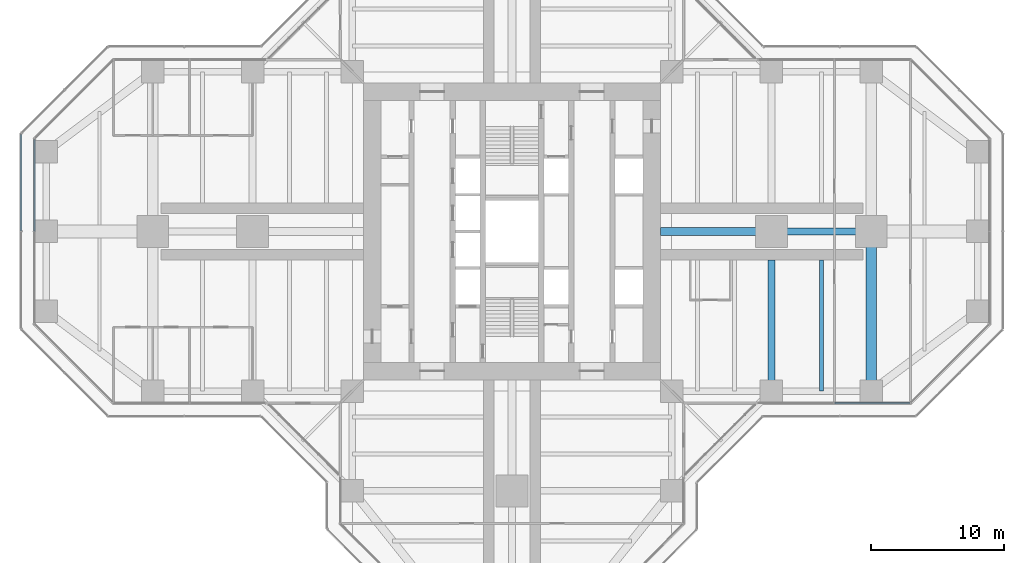
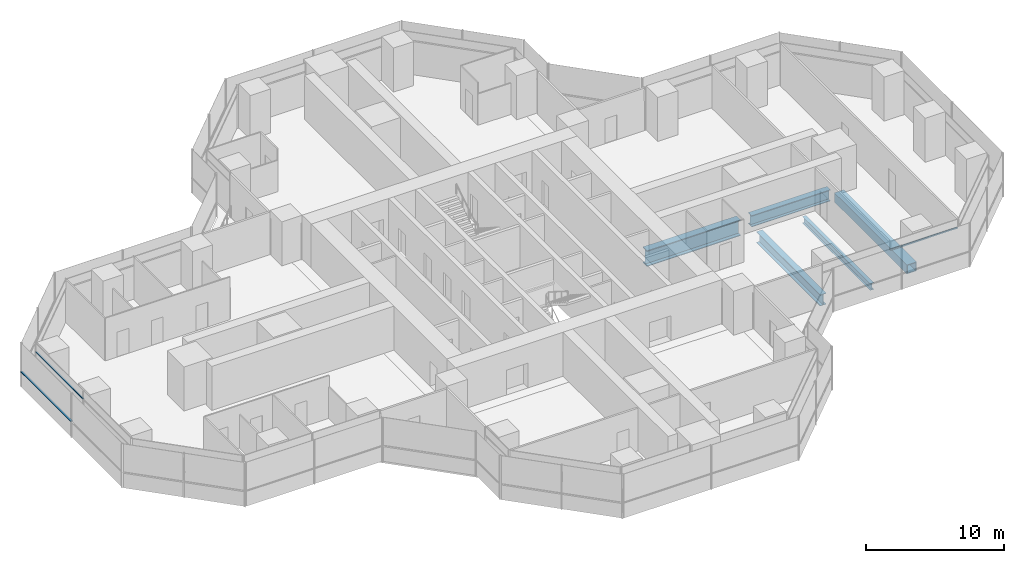
# One storey, part 6 of 20: 5 beams, 3 members, 3 elements without a shape of their own.
"""IFC4 building model written with IfcOpenShell, lengths in metres."""

from ifc_helpers import new_model, si_unit, direction, frame, origin, origin_2d, place, context, subcontext, project, spatial, rectangle, hollow_rectangle, i_section, extrude, material, material_profile, profile_set, type_object, element, aggregate, save


model = new_model("IFC4")

# Units and contexts
model_context = context("Model", 3, precision=1e-05, world=origin(), true_north=direction((0.0, 1.0)))
body_context = subcontext(model_context, "Body", "Model", "MODEL_VIEW")
ifc_project = project(units=[si_unit("LENGTHUNIT", "METRE"), si_unit("AREAUNIT", "SQUARE_METRE"), si_unit("VOLUMEUNIT", "CUBIC_METRE"), si_unit("PLANEANGLEUNIT", "RADIAN"), si_unit("MASSUNIT", "GRAM", prefix="KILO")], contexts=[model_context])

# Site, building, storey
site_placement = place(None, origin())
site = spatial("IfcSite", under=ifc_project, at=site_placement, CompositionType="ELEMENT")
building_placement = place(site_placement, origin())
building = spatial("IfcBuilding", under=site, at=building_placement, Name="Mizan Broadcast Tower", CompositionType="ELEMENT")
storey_placement = place(building_placement, frame((0.0, 0.0, 178.800048828125)))
storey = spatial("IfcBuildingStorey", under=building, at=storey_placement, Name="L41", CompositionType="ELEMENT", Elevation=178.800048828125)

# Beams
ifc_material_1 = material(Name="Steel S460", Category="steel")
ifc_material_profile_1 = material_profile(ifc_material_1, hollow_rectangle(XDim=0.800048828125, YDim=0.800048828125, WallThickness=0.050048828125, at=origin_2d()), Name="BOX 800x800x50")
ifc_profile_set_1 = profile_set([ifc_material_profile_1], Name="Steel S460")
beam_type_1 = type_object("IfcBeamType", Name="GIRDER BOX 800x800x50", PredefinedType="BEAM", material=ifc_profile_set_1)
beam_1_placement = place(storey_placement, frame((27.0, -11.280029296875, -0.530029296875), z_axis=(0.0, 1.0, 0.0), x_axis=(-1.0, 0.0, 0.0)))
element("IfcBeam", 1, at=beam_1_placement, inside=storey, type_object=beam_type_1, Name="Girder BOX 800x800x50 L41 east arm", PredefinedType="BEAM", context=body_context, shape_type="SweptSolid", body=[
    extrude(hollow_rectangle(XDim=0.800048828125, YDim=0.800048828125, WallThickness=0.050048828125, at=origin_2d()), origin(), (0.0, 0.0, 1.0), 10.56005859375),
])
ifc_material_2 = material(Name="Steel S460", Category="steel")
ifc_material_profile_2 = material_profile(ifc_material_2, i_section(OverallWidth=0.5, OverallDepth=1.0, WebThickness=0.02490234375, FlangeThickness=0.050048828125, at=origin_2d()), Name="WPG 1000x500")
ifc_profile_set_2 = profile_set([ifc_material_profile_2], Name="Steel S460")
beam_type_2 = type_object("IfcBeamType", Name="GIRDER WPG 1000x500", PredefinedType="BEAM", material=ifc_profile_set_2)
beam_2_placement = place(storey_placement, frame((19.949951171875, 0.0, -0.630126953125), z_axis=(1.0, 0.0, 0.0), x_axis=(0.0, 1.0, 0.0)))
element("IfcBeam", 2, at=beam_2_placement, inside=storey, type_object=beam_type_2, Name="Girder WPG 1000x500 L41 east arm", PredefinedType="BEAM", context=body_context, shape_type="SweptSolid", body=[
    extrude(i_section(OverallWidth=0.5, OverallDepth=1.0, WebThickness=0.02490234375, FlangeThickness=0.050048828125, at=origin_2d()), origin(), (0.0, 0.0, 1.0), 6.60009765625),
])
beam_3_placement = place(storey_placement, frame((19.5, -11.408935546875, -0.630126953125), z_axis=(0.0, 1.0, 0.0), x_axis=(-1.0, 0.0, 0.0)))
element("IfcBeam", 3, at=beam_3_placement, inside=storey, type_object=beam_type_2, Name="Girder WPG 1000x500 L41 east arm", PredefinedType="BEAM", context=body_context, shape_type="SweptSolid", body=[
    extrude(i_section(OverallWidth=0.5, OverallDepth=1.0, WebThickness=0.02490234375, FlangeThickness=0.050048828125, at=origin_2d()), origin(), (0.0, 0.0, 1.0), 9.259033203125),
])
ifc_material_3 = material(Name="Steel S460", Category="steel")
ifc_material_profile_3 = material_profile(ifc_material_3, i_section(OverallWidth=0.60009765625, OverallDepth=1.39990234375, WebThickness=0.02490234375, FlangeThickness=0.06005859375, at=origin_2d()), Name="WPG 1400x600")
ifc_profile_set_3 = profile_set([ifc_material_profile_3], Name="Steel S460")
beam_type_3 = type_object("IfcBeamType", Name="GIRDER WPG 1400x600", PredefinedType="BEAM", material=ifc_profile_set_3)
beam_4_placement = place(storey_placement, frame((11.14990234375, 0.0, -0.830078125), z_axis=(1.0, 0.0, 0.0), x_axis=(0.0, 1.0, 0.0)))
element("IfcBeam", 4, at=beam_4_placement, inside=storey, type_object=beam_type_3, Name="Girder WPG 1400x600 L41 east arm", PredefinedType="BEAM", context=body_context, shape_type="SweptSolid", body=[
    extrude(i_section(OverallWidth=0.60009765625, OverallDepth=1.39990234375, WebThickness=0.02490234375, FlangeThickness=0.06005859375, at=origin_2d()), origin(), (0.0, 0.0, 1.0), 7.84912109375),
])

# Curtain wall, member
ifc_material_4 = material(Name="Aluminium framed glazing", Category="aluminium")
curtain_wall_type_1 = type_object("IfcCurtainWallType", Name="INNER SKIN MID ZONE", PredefinedType="USERDEFINED", material=ifc_material_4)
curtain_wall_1_placement = place(storey_placement, origin())
curtain_wall_1 = element("IfcCurtainWall", 5, at=curtain_wall_1_placement, inside=storey, type_object=curtain_wall_type_1, Name="Inner skin mid zone L41 E side", ObjectType="INNER SKIN MID ZONE", PredefinedType="USERDEFINED")
ifc_material_5 = material(Name="Aluminium, pale anodised", Category="aluminium")
ifc_material_profile_4 = material_profile(ifc_material_5, rectangle(XDim=0.1201171875, YDim=0.06005859375, at=origin_2d()), Name="TRANSOM 120x60")
ifc_profile_set_4 = profile_set([ifc_material_profile_4], Name="Aluminium, pale anodised")
member_type_1 = type_object("IfcMemberType", Name="INNER SKIN TRANSOM 60x120", PredefinedType="USERDEFINED", material=ifc_profile_set_4)
member_1_placement = place(storey_placement, frame((24.25927734375, -12.89990234375, 3.030029296875), z_axis=(1.0, 0.0, 0.0), x_axis=(0.0, 1.0, 0.0)))
member_1 = element("IfcMember", 6, at=member_1_placement, type_object=member_type_1, Name="Inner skin mid zone L41 E side transom 2.1", ObjectType="TRANSOM", PredefinedType="USERDEFINED", context=body_context, shape_type="SweptSolid", body=[
    extrude(rectangle(XDim=0.1201171875, YDim=0.06005859375, at=origin_2d()), origin(), (0.0, 0.0, 1.0), 5.639404296875),
])
aggregate(curtain_wall_1, [member_1])

curtain_wall_2_placement = place(storey_placement, origin())
curtain_wall_2 = element("IfcCurtainWall", 7, at=curtain_wall_2_placement, inside=storey, type_object=curtain_wall_type_1, Name="Inner skin mid zone L41 W end", ObjectType="INNER SKIN MID ZONE", PredefinedType="USERDEFINED")
member_2_placement = place(storey_placement, frame((-35.89990234375, 6.898681640625, 3.030029296875), z_axis=(0.0, -1.0, 0.0), x_axis=(1.0, 0.0, 0.0)))
member_2 = element("IfcMember", 8, at=member_2_placement, type_object=member_type_1, Name="Inner skin mid zone L41 W end transom 1.1", ObjectType="TRANSOM", PredefinedType="USERDEFINED", context=body_context, shape_type="SweptSolid", body=[
    extrude(rectangle(XDim=0.1201171875, YDim=0.06005859375, at=origin_2d()), origin(), (0.0, 0.0, 1.0), 6.86865234375),
])
aggregate(curtain_wall_2, [member_2])

ifc_material_6 = material(Name="Aluminium framed glazing", Category="aluminium")
curtain_wall_type_2 = type_object("IfcCurtainWallType", Name="OUTER SKIN", PredefinedType="USERDEFINED", material=ifc_material_6)
curtain_wall_3_placement = place(storey_placement, origin())
curtain_wall_3 = element("IfcCurtainWall", 9, at=curtain_wall_3_placement, inside=storey, type_object=curtain_wall_type_2, Name="Outer skin L41 W end", ObjectType="OUTER SKIN", PredefinedType="USERDEFINED")
ifc_material_7 = material(Name="Aluminium, pale anodised", Category="aluminium")
ifc_material_profile_5 = material_profile(ifc_material_7, rectangle(XDim=0.159912109375, YDim=0.06005859375, at=origin_2d()), Name="TRANSOM 160x60")
ifc_profile_set_5 = profile_set([ifc_material_profile_5], Name="Aluminium, pale anodised")
member_type_2 = type_object("IfcMemberType", Name="OUTER SKIN TRANSOM 60x160", PredefinedType="USERDEFINED", material=ifc_profile_set_5)
member_3_placement = place(storey_placement, frame((-36.89990234375, 7.292724609375, 1.39990234375), z_axis=(0.0, -1.0, 0.0), x_axis=(1.0, 0.0, 0.0)))
member_3 = element("IfcMember", 10, at=member_3_placement, type_object=member_type_2, Name="Outer skin L41 W end transom 1.1", ObjectType="TRANSOM", PredefinedType="USERDEFINED", context=body_context, shape_type="SweptSolid", body=[
    extrude(rectangle(XDim=0.159912109375, YDim=0.06005859375, at=origin_2d()), origin(), (0.0, 0.0, 1.0), 7.252685546875),
])
aggregate(curtain_wall_3, [member_3])

# Beam
ifc_material_8 = material(Name="Steel S355", Category="steel")
ifc_material_profile_6 = material_profile(ifc_material_8, i_section(OverallWidth=0.300048828125, OverallDepth=0.590087890625, WebThickness=0.012939453125, FlangeThickness=0.02490234375, FilletRadius=0.027099609375, at=origin_2d()), Name="HEA 600")
ifc_profile_set_6 = profile_set([ifc_material_profile_6], Name="Steel S355")
beam_type_4 = type_object("IfcBeamType", Name="SECONDARY BEAM HEA 600", PredefinedType="JOIST", material=ifc_profile_set_6)
beam_5_placement = place(storey_placement, frame((23.25, -12.0, -0.425048828125), z_axis=(0.0, 1.0, 0.0), x_axis=(-1.0, 0.0, 0.0)))
element("IfcBeam", 11, at=beam_5_placement, inside=storey, type_object=beam_type_4, Name="Secondary beam HEA 600 L41 east arm", PredefinedType="JOIST", context=body_context, shape_type="SweptSolid", body=[
    extrude(i_section(OverallWidth=0.300048828125, OverallDepth=0.590087890625, WebThickness=0.012939453125, FlangeThickness=0.02490234375, FilletRadius=0.027099609375, at=origin_2d()), origin(), (0.0, 0.0, 1.0), 9.85009765625),
])

save(model, "model.ifc")
